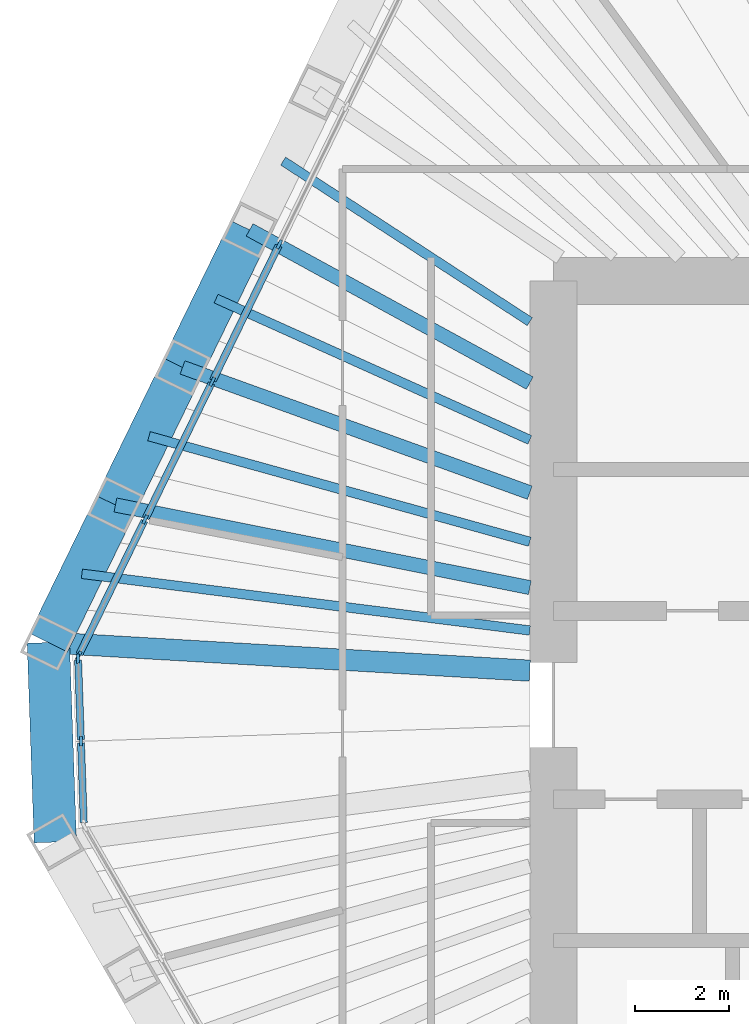
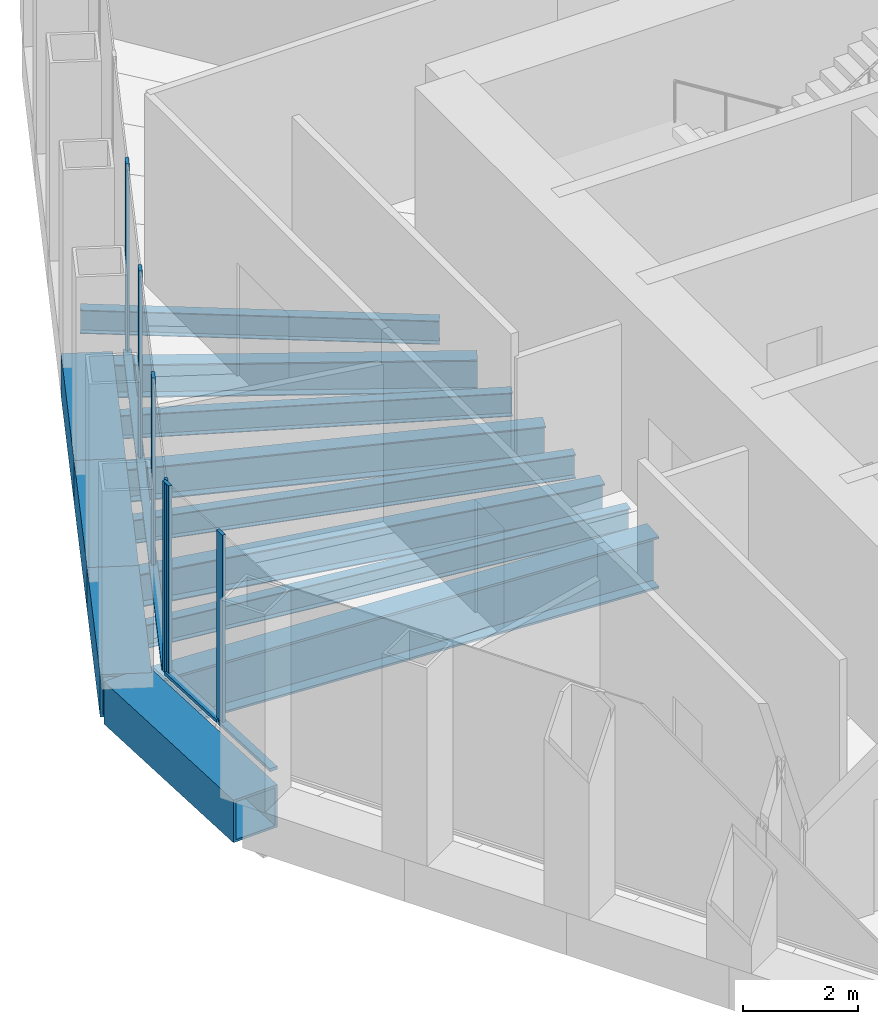
# One storey, part 4 of 14: 12 beams, 11 members, 2 elements without a shape of their own.
"""IFC4 building model written with IfcOpenShell, lengths in metres."""

from ifc_helpers import new_model, si_unit, direction, frame, origin, origin_2d, place, context, subcontext, project, spatial, rectangle, hollow_rectangle, i_section, extrude, material, material_profile, profile_set, type_object, element, aggregate, save


model = new_model("IFC4")

# Units and contexts
model_context = context("Model", 3, precision=1e-05, world=origin(), true_north=direction((0.0, 1.0)))
body_context = subcontext(model_context, "Body", "Model", "MODEL_VIEW")
ifc_project = project(units=[si_unit("LENGTHUNIT", "METRE"), si_unit("AREAUNIT", "SQUARE_METRE"), si_unit("VOLUMEUNIT", "CUBIC_METRE"), si_unit("PLANEANGLEUNIT", "RADIAN"), si_unit("MASSUNIT", "GRAM", prefix="KILO")], contexts=[model_context])

# Site, building, storey
site_placement = place(None, origin())
site = spatial("IfcSite", under=ifc_project, at=site_placement, CompositionType="ELEMENT")
building_placement = place(site_placement, origin())
building = spatial("IfcBuilding", under=site, at=building_placement, Name="Qingtian Harvest Tower", CompositionType="ELEMENT")
storey_placement = place(building_placement, frame((0.0, 0.0, 270.39990234375)))
storey = spatial("IfcBuildingStorey", under=building, at=storey_placement, Name="L59", CompositionType="ELEMENT", Elevation=270.39990234375)

# Beams
ifc_material_1 = material(Name="Steel SM570MC", Category="steel")
ifc_material_profile_1 = material_profile(ifc_material_1, i_section(OverallWidth=0.449951171875, OverallDepth=1.10009765625, WebThickness=0.02197265625, FlangeThickness=0.044921875, at=origin_2d()), Name="H1100x450x22x45")
ifc_profile_set_1 = profile_set([ifc_material_profile_1], Name="Steel SM570MC")
beam_type_1 = type_object("IfcBeamType", Name="Corner floor beam FB8 H1100x450x22x45", PredefinedType="BEAM", material=ifc_profile_set_1)
beam_1_placement = place(storey_placement, frame((-22.71728515625, 1.3271484375, -0.719970703125), z_axis=(0.998297736533, -0.058323487833, 0.0), x_axis=(0.058323487833, 0.998297736533, 0.0)))
element("IfcBeam", 1, at=beam_1_placement, inside=storey, type_object=beam_type_1, Name="Floor beam FB8 NW0", PredefinedType="BEAM", context=body_context, shape_type="SweptSolid", body=[
    extrude(i_section(OverallWidth=0.449951171875, OverallDepth=1.10009765625, WebThickness=0.02197265625, FlangeThickness=0.044921875, at=origin_2d()), origin(), (0.0, 0.0, 1.0), 10.234619140625),
])
ifc_material_2 = material(Name="Steel SN490B", Category="steel")
ifc_material_profile_2 = material_profile(ifc_material_2, i_section(OverallWidth=0.300048828125, OverallDepth=0.699951171875, WebThickness=0.012939453125, FlangeThickness=0.02392578125, at=origin_2d()), Name="H700x300x13x24")
ifc_profile_set_2 = profile_set([ifc_material_profile_2], Name="Steel SN490B")
beam_type_2 = type_object("IfcBeamType", Name="Floor beam FB4 H700x300x13x24", PredefinedType="BEAM", material=ifc_profile_set_2)
beam_2_placement = place(storey_placement, frame((-21.29345703125, 4.246337890625, -0.52001953125), z_axis=(0.980688391079, -0.195576786971, 0.0), x_axis=(0.195576786971, 0.980688391079, 0.0)))
element("IfcBeam", 2, at=beam_2_placement, inside=storey, type_object=beam_type_2, Name="Floor beam FB4 NW1", PredefinedType="BEAM", context=body_context, shape_type="SweptSolid", body=[
    extrude(i_section(OverallWidth=0.300048828125, OverallDepth=0.699951171875, WebThickness=0.012939453125, FlangeThickness=0.02392578125, at=origin_2d()), origin(), (0.0, 0.0, 1.0), 8.966552734375),
])
beam_3_placement = place(storey_placement, frame((-19.86962890625, 7.165771484375, -0.52001953125), z_axis=(0.940688220757, -0.339272267256, 0.0), x_axis=(0.339272267256, 0.940688220757, 0.0)))
element("IfcBeam", 3, at=beam_3_placement, inside=storey, type_object=beam_type_2, Name="Floor beam FB4 NW2", PredefinedType="BEAM", context=body_context, shape_type="SweptSolid", body=[
    extrude(i_section(OverallWidth=0.300048828125, OverallDepth=0.699951171875, WebThickness=0.012939453125, FlangeThickness=0.02392578125, at=origin_2d()), origin(), (0.0, 0.0, 1.0), 7.834228515625),
])
beam_4_placement = place(storey_placement, frame((-18.44580078125, 10.0849609375, -0.52001953125), z_axis=(0.877425639682, -0.479712671116, 0.0), x_axis=(0.479712671116, 0.877425639682, 0.0)))
element("IfcBeam", 4, at=beam_4_placement, inside=storey, type_object=beam_type_2, Name="Floor beam FB4 NW3", PredefinedType="BEAM", context=body_context, shape_type="SweptSolid", body=[
    extrude(i_section(OverallWidth=0.300048828125, OverallDepth=0.699951171875, WebThickness=0.012939453125, FlangeThickness=0.02392578125, at=origin_2d()), origin(), (0.0, 0.0, 1.0), 6.7763671875),
])
ifc_material_3 = material(Name="Steel SN490B", Category="steel")
ifc_material_profile_3 = material_profile(ifc_material_3, i_section(OverallWidth=0.199951171875, OverallDepth=0.5, WebThickness=0.010009765625, FlangeThickness=0.01611328125, at=origin_2d()), Name="H500x200x10x16")
ifc_profile_set_3 = profile_set([ifc_material_profile_3], Name="Steel SN490B")
beam_type_3 = type_object("IfcBeamType", Name="Floor joist J3 H500x200x10x16", PredefinedType="JOIST", material=ifc_profile_set_3)
beam_5_placement = place(storey_placement, frame((-22.00537109375, 2.78662109375, -0.419921875), z_axis=(0.992078247837, -0.125621455844, 0.0), x_axis=(0.125621455844, 0.992078247837, 0.0)))
element("IfcBeam", 5, at=beam_5_placement, inside=storey, type_object=beam_type_3, Name="Floor joist J3 NW0", PredefinedType="JOIST", context=body_context, shape_type="SweptSolid", body=[
    extrude(i_section(OverallWidth=0.199951171875, OverallDepth=0.5, WebThickness=0.010009765625, FlangeThickness=0.01611328125, at=origin_2d()), origin(), (0.0, 0.0, 1.0), 9.581298828125),
])
beam_6_placement = place(storey_placement, frame((-20.58154296875, 5.7060546875, -0.419921875), z_axis=(0.963652918134, -0.267157356949, 0.0), x_axis=(0.267157356949, 0.963652918134, 0.0)))
element("IfcBeam", 6, at=beam_6_placement, inside=storey, type_object=beam_type_3, Name="Floor joist J3 NW1", PredefinedType="JOIST", context=body_context, shape_type="SweptSolid", body=[
    extrude(i_section(OverallWidth=0.199951171875, OverallDepth=0.5, WebThickness=0.010009765625, FlangeThickness=0.01611328125, at=origin_2d()), origin(), (0.0, 0.0, 1.0), 8.386474609375),
])
beam_7_placement = place(storey_placement, frame((-19.15771484375, 8.625244140625, -0.419921875), z_axis=(0.911852669976, -0.410517610168, 0.0), x_axis=(0.410517610168, 0.911852669976, 0.0)))
element("IfcBeam", 7, at=beam_7_placement, inside=storey, type_object=beam_type_3, Name="Floor joist J3 NW2", PredefinedType="JOIST", context=body_context, shape_type="SweptSolid", body=[
    extrude(i_section(OverallWidth=0.199951171875, OverallDepth=0.5, WebThickness=0.010009765625, FlangeThickness=0.01611328125, at=origin_2d()), origin(), (0.0, 0.0, 1.0), 7.30126953125),
])
beam_8_placement = place(storey_placement, frame((-17.73388671875, 11.544677734375, -0.419921875), z_axis=(0.838062930903, -0.545573573266, 0.0), x_axis=(0.545573573266, 0.838062930903, 0.0)))
element("IfcBeam", 8, at=beam_8_placement, inside=storey, type_object=beam_type_3, Name="Floor joist J3 NW3", PredefinedType="JOIST", context=body_context, shape_type="SweptSolid", body=[
    extrude(i_section(OverallWidth=0.199951171875, OverallDepth=0.5, WebThickness=0.010009765625, FlangeThickness=0.01611328125, at=origin_2d()), origin(), (0.0, 0.0, 1.0), 6.2451171875),
])

# Curtain wall, members
ifc_material_4 = material(Name="Bronze-anodised aluminium curtain wall", Category="aluminium")
curtain_wall_type = type_object("IfcCurtainWallType", Name="Curtain wall CW5 upper office", PredefinedType="USERDEFINED", material=ifc_material_4)
curtain_wall_1_placement = place(storey_placement, origin())
curtain_wall_1 = element("IfcCurtainWall", 9, at=curtain_wall_1_placement, inside=storey, type_object=curtain_wall_type, Name="Curtain wall CW5 L59 SWC", ObjectType="RECESSED CURTAIN WALL", PredefinedType="USERDEFINED")
ifc_material_5 = material(Name="Bronze-anodised aluminium mullion", Category="aluminium")
ifc_material_profile_4 = material_profile(ifc_material_5, rectangle(XDim=0.06494140625, YDim=0.199951171875, at=origin_2d()), Name="AL 65x200")
ifc_profile_set_4 = profile_set([ifc_material_profile_4], Name="Bronze-anodised aluminium mullion")
member_type_1 = type_object("IfcMemberType", Name="Mullion CWM 65x200", PredefinedType="MULLION", material=ifc_profile_set_4)
member_1_placement = place(storey_placement, frame((-22.025634765625, -0.76904296875, 0.0), z_axis=(0.0, 0.0, 1.0), x_axis=(-0.999390827019, -0.034899496703, 0.0)))
member_1 = element("IfcMember", 10, at=member_1_placement, type_object=member_type_1, Name="CW5 mullion 2", PredefinedType="MULLION", context=body_context, shape_type="SweptSolid", body=[
    extrude(rectangle(XDim=0.06494140625, YDim=0.199951171875, at=origin_2d()), origin(), (0.0, 0.0, 1.0), 4.030029296875),
])
member_2_placement = place(storey_placement, frame((-22.087158203125, 0.98779296875, 0.0), z_axis=(0.0, 0.0, 1.0), x_axis=(-0.999390827019, -0.034899496703, 0.0)))
member_2 = element("IfcMember", 11, at=member_2_placement, type_object=member_type_1, Name="CW5 mullion 3", PredefinedType="MULLION", context=body_context, shape_type="SweptSolid", body=[
    extrude(rectangle(XDim=0.06494140625, YDim=0.199951171875, at=origin_2d()), origin(), (0.0, 0.0, 1.0), 4.030029296875),
])

curtain_wall_2_placement = place(storey_placement, origin())
curtain_wall_2 = element("IfcCurtainWall", 12, at=curtain_wall_2_placement, inside=storey, type_object=curtain_wall_type, Name="Curtain wall CW5 L59 NW0-5", ObjectType="RECESSED CURTAIN WALL", PredefinedType="USERDEFINED")
member_3_placement = place(storey_placement, frame((-22.073974609375, 1.04931640625, 0.0), z_axis=(0.0, 0.0, 1.0), x_axis=(-0.898794046299, 0.438371146789, 0.0)))
member_3 = element("IfcMember", 13, at=member_3_placement, type_object=member_type_1, Name="CW5 mullion 1", PredefinedType="MULLION", context=body_context, shape_type="SweptSolid", body=[
    extrude(rectangle(XDim=0.06494140625, YDim=0.199951171875, at=origin_2d()), origin(), (0.0, 0.0, 1.0), 4.030029296875),
])
member_4_placement = place(storey_placement, frame((-20.664306640625, 3.939453125, 0.0), z_axis=(0.0, 0.0, 1.0), x_axis=(-0.898794046299, 0.438371146789, 0.0)))
member_4 = element("IfcMember", 14, at=member_4_placement, type_object=member_type_1, Name="CW5 mullion 2", PredefinedType="MULLION", context=body_context, shape_type="SweptSolid", body=[
    extrude(rectangle(XDim=0.06494140625, YDim=0.199951171875, at=origin_2d()), origin(), (0.0, 0.0, 1.0), 4.030029296875),
])
member_5_placement = place(storey_placement, frame((-19.240478515625, 6.85888671875, 0.0), z_axis=(0.0, 0.0, 1.0), x_axis=(-0.898794046299, 0.438371146789, 0.0)))
member_5 = element("IfcMember", 15, at=member_5_placement, type_object=member_type_1, Name="CW5 mullion 3", PredefinedType="MULLION", context=body_context, shape_type="SweptSolid", body=[
    extrude(rectangle(XDim=0.06494140625, YDim=0.199951171875, at=origin_2d()), origin(), (0.0, 0.0, 1.0), 4.030029296875),
])
member_6_placement = place(storey_placement, frame((-17.816650390625, 9.778076171875, 0.0), z_axis=(0.0, 0.0, 1.0), x_axis=(-0.898794046299, 0.438371146789, 0.0)))
member_6 = element("IfcMember", 16, at=member_6_placement, type_object=member_type_1, Name="CW5 mullion 4", PredefinedType="MULLION", context=body_context, shape_type="SweptSolid", body=[
    extrude(rectangle(XDim=0.06494140625, YDim=0.199951171875, at=origin_2d()), origin(), (0.0, 0.0, 1.0), 4.030029296875),
])

# Beams
ifc_material_6 = material(Name="Steel SM570MC", Category="steel")
ifc_material_profile_5 = material_profile(ifc_material_6, hollow_rectangle(XDim=0.89990234375, YDim=0.89990234375, WallThickness=0.050048828125, at=origin_2d()), Name="BOX900x900x50")
ifc_profile_set_5 = profile_set([ifc_material_profile_5], Name="Steel SM570MC")
beam_type_4 = type_object("IfcBeamType", Name="Transition spandrel SB6 BOX900x900x50", PredefinedType="SPANDREL", material=ifc_profile_set_5)
beam_9_placement = place(storey_placement, frame((-22.569580078125, -2.908447265625, -0.449951171875), z_axis=(-0.034851142499, 0.999392514414, 0.0), x_axis=(-0.999392514414, -0.034851142499, 0.0)))
element("IfcBeam", 17, at=beam_9_placement, inside=storey, type_object=beam_type_4, Name="Spandrel SB6 SWC", PredefinedType="SPANDREL", context=body_context, shape_type="SweptSolid", body=[
    extrude(hollow_rectangle(XDim=0.89990234375, YDim=0.89990234375, WallThickness=0.050048828125, at=origin_2d()), origin(), (0.0, 0.0, 1.0), 4.23828125),
])
beam_10_placement = place(storey_placement, frame((-22.71728515625, 1.3271484375, -0.449951171875), z_axis=(0.438382164311, 0.898788672611, 0.0), x_axis=(-0.898788672611, 0.438382164311, 0.0)))
element("IfcBeam", 18, at=beam_10_placement, inside=storey, type_object=beam_type_4, Name="Spandrel SB6 NW0", PredefinedType="SPANDREL", context=body_context, shape_type="SweptSolid", body=[
    extrude(hollow_rectangle(XDim=0.89990234375, YDim=0.89990234375, WallThickness=0.050048828125, at=origin_2d()), origin(), (0.0, 0.0, 1.0), 3.247802734375),
])
beam_11_placement = place(storey_placement, frame((-21.29345703125, 4.246337890625, -0.449951171875), z_axis=(0.438352548749, 0.898803116931, 0.0), x_axis=(-0.898803116931, 0.438352548749, 0.0)))
element("IfcBeam", 19, at=beam_11_placement, inside=storey, type_object=beam_type_4, Name="Spandrel SB6 NW1", PredefinedType="SPANDREL", context=body_context, shape_type="SweptSolid", body=[
    extrude(hollow_rectangle(XDim=0.89990234375, YDim=0.89990234375, WallThickness=0.050048828125, at=origin_2d()), origin(), (0.0, 0.0, 1.0), 3.248046875),
])
beam_12_placement = place(storey_placement, frame((-19.86962890625, 7.165771484375, -0.449951171875), z_axis=(0.438382164311, 0.898788672611, 0.0), x_axis=(-0.898788672611, 0.438382164311, 0.0)))
element("IfcBeam", 20, at=beam_12_placement, inside=storey, type_object=beam_type_4, Name="Spandrel SB6 NW2", PredefinedType="SPANDREL", context=body_context, shape_type="SweptSolid", body=[
    extrude(hollow_rectangle(XDim=0.89990234375, YDim=0.89990234375, WallThickness=0.050048828125, at=origin_2d()), origin(), (0.0, 0.0, 1.0), 3.247802734375),
])

# Member
ifc_material_7 = material(Name="Bronze-anodised aluminium transom", Category="aluminium")
ifc_material_profile_6 = material_profile(ifc_material_7, rectangle(XDim=0.14990234375, YDim=0.06494140625, at=origin_2d()), Name="AL 65x150")
ifc_profile_set_6 = profile_set([ifc_material_profile_6], Name="Bronze-anodised aluminium transom")
member_type_2 = type_object("IfcMemberType", Name="Transom CWT 65x150", PredefinedType="USERDEFINED", material=ifc_profile_set_6)
member_7_placement = place(storey_placement, frame((-21.965576171875, -2.49365234375, 0.03271484375), z_axis=(-0.034899362377, 0.99939083171, 0.0), x_axis=(-0.99939083171, -0.034899362377, 0.0)))
member_7 = element("IfcMember", 21, at=member_7_placement, type_object=member_type_2, Name="CW5 transom 1.1", ObjectType="TRANSOM", PredefinedType="USERDEFINED", context=body_context, shape_type="SweptSolid", body=[
    extrude(rectangle(XDim=0.14990234375, YDim=0.06494140625, at=origin_2d()), origin(), (0.0, 0.0, 1.0), 1.69287109375),
])

member_8_placement = place(storey_placement, frame((-22.02685546875, -0.736572265625, 0.03271484375), z_axis=(-0.034899362377, 0.99939083171, 0.0), x_axis=(-0.99939083171, -0.034899362377, 0.0)))
member_8 = element("IfcMember", 22, at=member_8_placement, type_object=member_type_2, Name="CW5 transom 2.1", ObjectType="TRANSOM", PredefinedType="USERDEFINED", context=body_context, shape_type="SweptSolid", body=[
    extrude(rectangle(XDim=0.14990234375, YDim=0.06494140625, at=origin_2d()), origin(), (0.0, 0.0, 1.0), 1.69287109375),
])

aggregate(curtain_wall_1, [member_1, member_2, member_7, member_8])

member_9_placement = place(storey_placement, frame((-22.059814453125, 1.07861328125, 0.03271484375), z_axis=(0.438357982629, 0.89880046677, 0.0), x_axis=(-0.89880046677, 0.438357982629, 0.0)))
member_9 = element("IfcMember", 23, at=member_9_placement, type_object=member_type_2, Name="CW5 transom 1.1", ObjectType="TRANSOM", PredefinedType="USERDEFINED", context=body_context, shape_type="SweptSolid", body=[
    extrude(rectangle(XDim=0.14990234375, YDim=0.06494140625, at=origin_2d()), origin(), (0.0, 0.0, 1.0), 3.150634765625),
])

member_10_placement = place(storey_placement, frame((-20.650146484375, 3.96875, 0.03271484375), z_axis=(0.438355626738, 0.898801615768, 0.0), x_axis=(-0.898801615768, 0.438355626738, 0.0)))
member_10 = element("IfcMember", 24, at=member_10_placement, type_object=member_type_2, Name="CW5 transom 2.1", ObjectType="TRANSOM", PredefinedType="USERDEFINED", context=body_context, shape_type="SweptSolid", body=[
    extrude(rectangle(XDim=0.14990234375, YDim=0.06494140625, at=origin_2d()), origin(), (0.0, 0.0, 1.0), 3.182861328125),
])

member_11_placement = place(storey_placement, frame((-19.226318359375, 6.887939453125, 0.03271484375), z_axis=(0.438325408134, 0.898816353091, 0.0), x_axis=(-0.898816353091, 0.438325408134, 0.0)))
member_11 = element("IfcMember", 25, at=member_11_placement, type_object=member_type_2, Name="CW5 transom 3.1", ObjectType="TRANSOM", PredefinedType="USERDEFINED", context=body_context, shape_type="SweptSolid", body=[
    extrude(rectangle(XDim=0.14990234375, YDim=0.06494140625, at=origin_2d()), origin(), (0.0, 0.0, 1.0), 3.18310546875),
])

aggregate(curtain_wall_2, [member_3, member_4, member_5, member_6, member_9, member_10, member_11])

save(model, "model.ifc")
